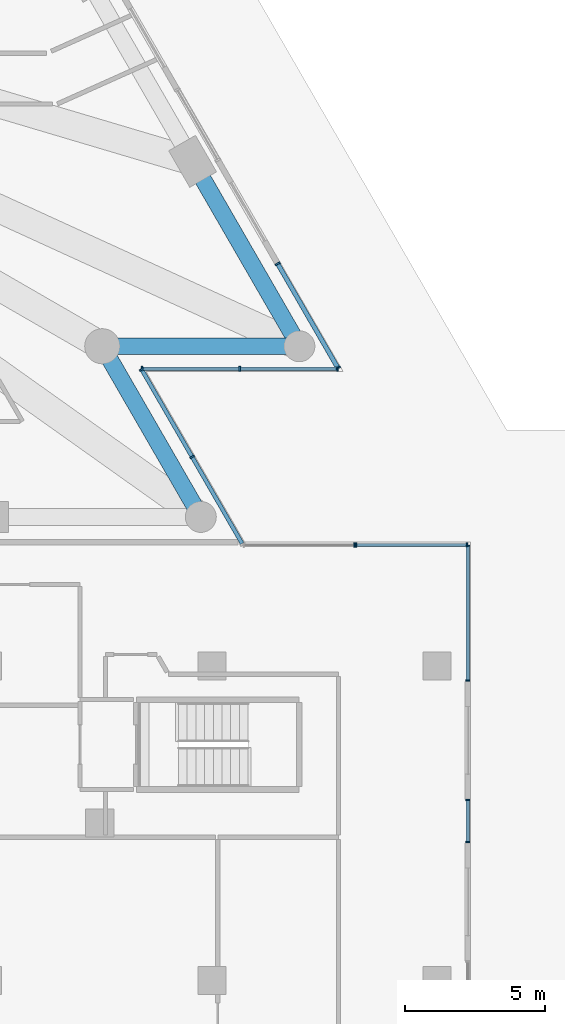
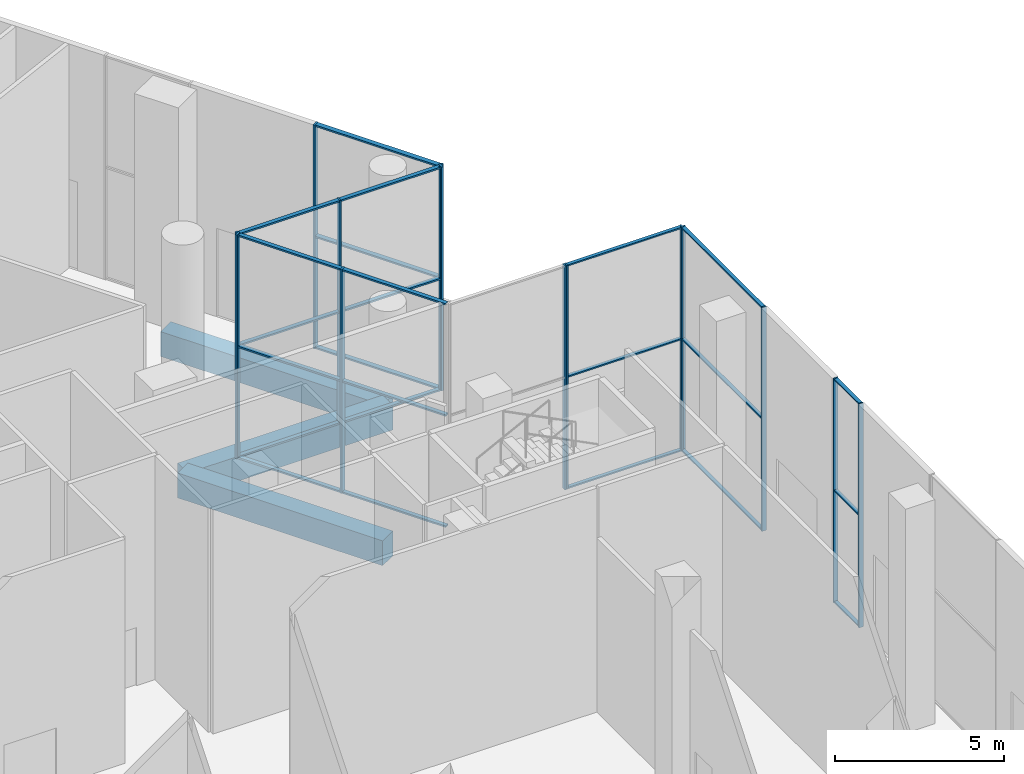
# One storey, part 9 of 41: 38 members, 3 beams, 7 elements without a shape of their own.
"""IFC4 building model written with IfcOpenShell, lengths in metres."""

from ifc_helpers import new_model, si_unit, direction, frame, origin, origin_2d, place, context, subcontext, project, spatial, rectangle, extrude, material, layer, layer_set, material_profile, profile_set, type_object, element, aggregate, save


model = new_model("IFC4")

# Units and contexts
model_context = context("Model", 3, precision=1e-05, world=origin(), true_north=direction((0.0, 1.0)))
body_context = subcontext(model_context, "Body", "Model", "MODEL_VIEW")
ifc_project = project(units=[si_unit("LENGTHUNIT", "METRE"), si_unit("AREAUNIT", "SQUARE_METRE"), si_unit("VOLUMEUNIT", "CUBIC_METRE"), si_unit("PLANEANGLEUNIT", "RADIAN"), si_unit("MASSUNIT", "GRAM", prefix="KILO")], contexts=[model_context])

# Site, building, storey
site_placement = place(None, origin())
site = spatial("IfcSite", under=ifc_project, at=site_placement, CompositionType="ELEMENT")
building_placement = place(site_placement, origin())
building = spatial("IfcBuilding", under=site, at=building_placement, Name="Triada Interchange Tower", CompositionType="ELEMENT")
storey_placement = place(building_placement, origin())
storey = spatial("IfcBuildingStorey", under=building, at=storey_placement, Name="L00", CompositionType="ELEMENT", Elevation=0.0)

# Curtain wall, members
ifc_material_1 = material(Name="Aluminium framed glazing", Category="aluminium")
ifc_layer_1 = layer(ifc_material_1, 0.199951171875)
ifc_layer_set_1 = layer_set([ifc_layer_1], Name="Curtain wall Concourse glazed screen")
curtain_wall_type_1 = type_object("IfcCurtainWallType", Name="Curtain wall Concourse glazed screen", PredefinedType="NOTDEFINED", material=ifc_layer_set_1)
curtain_wall_1_placement = place(storey_placement, origin())
curtain_wall_1 = element("IfcCurtainWall", 1, at=curtain_wall_1_placement, inside=storey, type_object=curtain_wall_type_1, Name="Concourse glazed screen CW019 L00", PredefinedType="NOTDEFINED")
ifc_material_2 = material(Name="Aluminium", Category="aluminium")
ifc_material_profile_1 = material_profile(ifc_material_2, rectangle(XDim=0.199951171875, YDim=0.06005859375, at=origin_2d()), Name="Aluminium mullion")
ifc_profile_set_1 = profile_set([ifc_material_profile_1], Name="Aluminium")
member_type_1 = type_object("IfcMemberType", Name="Mullion Concourse glazed screen 200x60", PredefinedType="MULLION", material=ifc_profile_set_1)
member_1_placement = place(storey_placement, frame((35.27587890625, -16.299072265625, 0.0), z_axis=(0.0, 0.0, 1.0), x_axis=(-0.866039990529, -0.499974734167, 0.0)))
member_1 = element("IfcMember", 2, at=member_1_placement, type_object=member_type_1, Name="CW019 mullion 1", PredefinedType="MULLION", context=body_context, shape_type="SweptSolid", body=[
    extrude(rectangle(XDim=0.199951171875, YDim=0.06005859375, at=origin_2d()), origin(), (0.0, 0.0, 1.0), 8.10009765625),
])
member_2_placement = place(storey_placement, frame((33.133056640625, -12.5869140625, 0.0), z_axis=(0.0, 0.0, 1.0), x_axis=(-0.866039990529, -0.499974734167, 0.0)))
member_2 = element("IfcMember", 3, at=member_2_placement, type_object=member_type_1, Name="CW019 mullion 2", PredefinedType="MULLION", context=body_context, shape_type="SweptSolid", body=[
    extrude(rectangle(XDim=0.199951171875, YDim=0.06005859375, at=origin_2d()), origin(), (0.0, 0.0, 1.0), 8.10009765625),
])

ifc_layer_2 = layer(ifc_material_1, 0.199951171875)
ifc_layer_set_2 = layer_set([ifc_layer_2], Name="Curtain wall Retail shopfront")
curtain_wall_type_2 = type_object("IfcCurtainWallType", Name="Curtain wall Retail shopfront", PredefinedType="NOTDEFINED", material=ifc_layer_set_2)
curtain_wall_2_placement = place(storey_placement, origin())
curtain_wall_2 = element("IfcCurtainWall", 4, at=curtain_wall_2_placement, inside=storey, type_object=curtain_wall_type_2, Name="Retail shopfront CW013 L00", PredefinedType="NOTDEFINED")
ifc_material_profile_2 = material_profile(ifc_material_2, rectangle(XDim=0.14990234375, YDim=0.050048828125, at=origin_2d()), Name="Aluminium mullion")
ifc_profile_set_2 = profile_set([ifc_material_profile_2], Name="Aluminium")
member_type_2 = type_object("IfcMemberType", Name="Mullion Retail shopfront 150x50", PredefinedType="MULLION", material=ifc_profile_set_2)
member_3_placement = place(storey_placement, frame((39.89990234375, -33.175048828125, 0.0), z_axis=(0.0, 0.0, 1.0), x_axis=(-1.0, 0.0, 0.0)))
member_3 = element("IfcMember", 5, at=member_3_placement, type_object=member_type_2, Name="CW013 mullion 1", PredefinedType="MULLION", context=body_context, shape_type="SweptSolid", body=[
    extrude(rectangle(XDim=0.14990234375, YDim=0.050048828125, at=origin_2d()), origin(), (0.0, 0.0, 1.0), 8.10009765625),
])
member_4_placement = place(storey_placement, frame((39.89990234375, -31.675048828125, 0.0), z_axis=(0.0, 0.0, 1.0), x_axis=(-1.0, 0.0, 0.0)))
member_4 = element("IfcMember", 6, at=member_4_placement, type_object=member_type_2, Name="CW013 mullion 2", PredefinedType="MULLION", context=body_context, shape_type="SweptSolid", body=[
    extrude(rectangle(XDim=0.14990234375, YDim=0.050048828125, at=origin_2d()), origin(), (0.0, 0.0, 1.0), 8.10009765625),
])

curtain_wall_3_placement = place(storey_placement, origin())
curtain_wall_3 = element("IfcCurtainWall", 7, at=curtain_wall_3_placement, inside=storey, type_object=curtain_wall_type_2, Name="Retail shopfront CW014 L00", PredefinedType="NOTDEFINED")
member_5_placement = place(storey_placement, frame((39.89990234375, -27.425048828125, 0.0), z_axis=(0.0, 0.0, 1.0), x_axis=(-1.0, 0.0, 0.0)))
member_5 = element("IfcMember", 8, at=member_5_placement, type_object=member_type_2, Name="CW014 mullion 1", PredefinedType="MULLION", context=body_context, shape_type="SweptSolid", body=[
    extrude(rectangle(XDim=0.14990234375, YDim=0.050048828125, at=origin_2d()), origin(), (0.0, 0.0, 1.0), 8.10009765625),
])
member_6_placement = place(storey_placement, frame((39.89990234375, -22.625, 0.0), z_axis=(0.0, 0.0, 1.0), x_axis=(-1.0, 0.0, 0.0)))
member_6 = element("IfcMember", 9, at=member_6_placement, type_object=member_type_2, Name="CW014 mullion 2", PredefinedType="MULLION", context=body_context, shape_type="SweptSolid", body=[
    extrude(rectangle(XDim=0.14990234375, YDim=0.050048828125, at=origin_2d()), origin(), (0.0, 0.0, 1.0), 8.10009765625),
])

curtain_wall_4_placement = place(storey_placement, origin())
curtain_wall_4 = element("IfcCurtainWall", 10, at=curtain_wall_4_placement, inside=storey, type_object=curtain_wall_type_2, Name="Retail shopfront CW015 L00", PredefinedType="NOTDEFINED")
member_7_placement = place(storey_placement, frame((39.875, -22.60009765625, 0.0), z_axis=(0.0, 0.0, 1.0), x_axis=(0.0, -1.0, 0.0)))
member_7 = element("IfcMember", 11, at=member_7_placement, type_object=member_type_2, Name="CW015 mullion 1", PredefinedType="MULLION", context=body_context, shape_type="SweptSolid", body=[
    extrude(rectangle(XDim=0.14990234375, YDim=0.050048828125, at=origin_2d()), origin(), (0.0, 0.0, 1.0), 8.10009765625),
])
member_8_placement = place(storey_placement, frame((35.928955078125, -22.60009765625, 0.0), z_axis=(0.0, 0.0, 1.0), x_axis=(0.0, -1.0, 0.0)))
member_8 = element("IfcMember", 12, at=member_8_placement, type_object=member_type_2, Name="CW015 mullion 2", PredefinedType="MULLION", context=body_context, shape_type="SweptSolid", body=[
    extrude(rectangle(XDim=0.14990234375, YDim=0.050048828125, at=origin_2d()), origin(), (0.0, 0.0, 1.0), 8.10009765625),
])

# Curtain wall, member
curtain_wall_5_placement = place(storey_placement, origin())
curtain_wall_5 = element("IfcCurtainWall", 13, at=curtain_wall_5_placement, inside=storey, type_object=curtain_wall_type_2, Name="Retail shopfront CW016 L00", PredefinedType="NOTDEFINED")
member_9_placement = place(storey_placement, frame((35.868896484375, -22.60009765625, 0.0), z_axis=(0.0, 0.0, 1.0), x_axis=(0.0, -1.0, 0.0)))
member_9 = element("IfcMember", 14, at=member_9_placement, type_object=member_type_2, Name="CW016 mullion 1", PredefinedType="MULLION", context=body_context, shape_type="SweptSolid", body=[
    extrude(rectangle(XDim=0.14990234375, YDim=0.050048828125, at=origin_2d()), origin(), (0.0, 0.0, 1.0), 8.10009765625),
])
aggregate(curtain_wall_5, [member_9])

# Curtain wall, members
ifc_layer_3 = layer(ifc_material_1, 0.199951171875)
ifc_layer_set_3 = layer_set([ifc_layer_3], Name="Curtain wall Tower lobby glazing")
curtain_wall_type_3 = type_object("IfcCurtainWallType", Name="Curtain wall Tower lobby glazing", PredefinedType="NOTDEFINED", material=ifc_layer_set_3)
curtain_wall_6_placement = place(storey_placement, origin())
curtain_wall_6 = element("IfcCurtainWall", 15, at=curtain_wall_6_placement, inside=storey, type_object=curtain_wall_type_3, Name="Tower lobby glazing CW017 L00", PredefinedType="NOTDEFINED")
ifc_material_profile_3 = material_profile(ifc_material_2, rectangle(XDim=0.179931640625, YDim=0.06005859375, at=origin_2d()), Name="Aluminium mullion")
ifc_profile_set_3 = profile_set([ifc_material_profile_3], Name="Aluminium")
member_type_3 = type_object("IfcMemberType", Name="Mullion Tower lobby glazing 180x60", PredefinedType="MULLION", material=ifc_profile_set_3)
member_10_placement = place(storey_placement, frame((30.0869140625, -19.46240234375, 0.0), z_axis=(0.0, 0.0, 1.0), x_axis=(-0.866077569894, -0.499909634761, 0.0)))
member_10 = element("IfcMember", 16, at=member_10_placement, type_object=member_type_3, Name="CW017 mullion 2", PredefinedType="MULLION", context=body_context, shape_type="SweptSolid", body=[
    extrude(rectangle(XDim=0.179931640625, YDim=0.06005859375, at=origin_2d()), origin(), (0.0, 0.0, 1.0), 8.10009765625),
])
member_11_placement = place(storey_placement, frame((28.291015625, -16.35107421875, 0.0), z_axis=(0.0, 0.0, 1.0), x_axis=(-0.866077569894, -0.499909634761, 0.0)))
member_11 = element("IfcMember", 17, at=member_11_placement, type_object=member_type_3, Name="CW017 mullion 3", PredefinedType="MULLION", context=body_context, shape_type="SweptSolid", body=[
    extrude(rectangle(XDim=0.179931640625, YDim=0.06005859375, at=origin_2d()), origin(), (0.0, 0.0, 1.0), 8.10009765625),
])

curtain_wall_7_placement = place(storey_placement, origin())
curtain_wall_7 = element("IfcCurtainWall", 18, at=curtain_wall_7_placement, inside=storey, type_object=curtain_wall_type_3, Name="Tower lobby glazing CW018 L00", PredefinedType="NOTDEFINED")
member_12_placement = place(storey_placement, frame((28.305908203125, -16.324951171875, 0.0), z_axis=(0.0, 0.0, 1.0), x_axis=(0.0, 1.0, 0.0)))
member_12 = element("IfcMember", 19, at=member_12_placement, type_object=member_type_3, Name="CW018 mullion 1", PredefinedType="MULLION", context=body_context, shape_type="SweptSolid", body=[
    extrude(rectangle(XDim=0.179931640625, YDim=0.06005859375, at=origin_2d()), origin(), (0.0, 0.0, 1.0), 8.10009765625),
])
member_13_placement = place(storey_placement, frame((31.783447265625, -16.324951171875, 0.0), z_axis=(0.0, 0.0, 1.0), x_axis=(0.0, 1.0, 0.0)))
member_13 = element("IfcMember", 20, at=member_13_placement, type_object=member_type_3, Name="CW018 mullion 2", PredefinedType="MULLION", context=body_context, shape_type="SweptSolid", body=[
    extrude(rectangle(XDim=0.179931640625, YDim=0.06005859375, at=origin_2d()), origin(), (0.0, 0.0, 1.0), 8.10009765625),
])
member_14_placement = place(storey_placement, frame((35.260986328125, -16.324951171875, 0.0), z_axis=(0.0, 0.0, 1.0), x_axis=(0.0, 1.0, 0.0)))
member_14 = element("IfcMember", 21, at=member_14_placement, type_object=member_type_3, Name="CW018 mullion 3", PredefinedType="MULLION", context=body_context, shape_type="SweptSolid", body=[
    extrude(rectangle(XDim=0.179931640625, YDim=0.06005859375, at=origin_2d()), origin(), (0.0, 0.0, 1.0), 8.10009765625),
])

# Beams
ifc_material_3 = material(Name="Concrete C50/60", Category="concrete")
ifc_material_profile_4 = material_profile(ifc_material_3, rectangle(XDim=0.60009765625, YDim=0.89990234375, at=origin_2d()), Name="RC 600x900")
ifc_profile_set_4 = profile_set([ifc_material_profile_4], Name="Concrete C50/60")
beam_type = type_object("IfcBeamType", Name="Spandrel beam P RC 600x900", PredefinedType="BEAM", material=ifc_profile_set_4)
beam_1_placement = place(storey_placement, frame((30.39697265625, -21.60009765625, -0.85009765625), z_axis=(-0.499953429515, 0.866052289597, 0.0), x_axis=(-0.866052289597, -0.499953429515, 0.0)))
element("IfcBeam", 22, at=beam_1_placement, inside=storey, type_object=beam_type, Name="Spandrel beam EP19 L00", PredefinedType="BEAM", context=body_context, shape_type="SweptSolid", body=[
    extrude(rectangle(XDim=0.60009765625, YDim=0.89990234375, at=origin_2d()), origin(), (0.0, 0.0, 1.0), 7.014892578125),
])
beam_2_placement = place(storey_placement, frame((26.889892578125, -15.52490234375, -0.85009765625), z_axis=(1.0, 0.0, 0.0), x_axis=(0.0, 1.0, 0.0)))
element("IfcBeam", 23, at=beam_2_placement, inside=storey, type_object=beam_type, Name="Spandrel beam EP20 L00", PredefinedType="BEAM", context=body_context, shape_type="SweptSolid", body=[
    extrude(rectangle(XDim=0.60009765625, YDim=0.89990234375, at=origin_2d()), origin(), (0.0, 0.0, 1.0), 7.01513671875),
])
beam_3_placement = place(storey_placement, frame((33.905029296875, -15.52490234375, -0.85009765625), z_axis=(-0.500060803479, 0.865990296034, 0.0), x_axis=(-0.865990296034, -0.500060803479, 0.0)))
element("IfcBeam", 24, at=beam_3_placement, inside=storey, type_object=beam_type, Name="Spandrel beam EP21 L00", PredefinedType="BEAM", context=body_context, shape_type="SweptSolid", body=[
    extrude(rectangle(XDim=0.60009765625, YDim=0.89990234375, at=origin_2d()), origin(), (0.0, 0.0, 1.0), 7.59912109375),
])

# Member
ifc_material_profile_5 = material_profile(ifc_material_2, rectangle(XDim=0.159912109375, YDim=0.06005859375, at=origin_2d()), Name="Aluminium transom")
ifc_profile_set_5 = profile_set([ifc_material_profile_5], Name="Aluminium")
member_type_4 = type_object("IfcMemberType", Name="Transom Concourse glazed screen 160x60", PredefinedType="USERDEFINED", material=ifc_profile_set_5)
member_15_placement = place(storey_placement, frame((35.260986328125, -16.27294921875, 0.030029296875), z_axis=(-0.499997491977, 0.866026851788, 0.0), x_axis=(-0.866026851788, -0.499997491977, 0.0)))
member_15 = element("IfcMember", 25, at=member_15_placement, type_object=member_type_4, Name="CW019 transom 1.1", ObjectType="TRANSOM", PredefinedType="USERDEFINED", context=body_context, shape_type="SweptSolid", body=[
    extrude(rectangle(XDim=0.159912109375, YDim=0.06005859375, at=origin_2d()), origin(), (0.0, 0.0, 1.0), 4.22607421875),
])

member_16_placement = place(storey_placement, frame((35.260986328125, -16.27294921875, 4.050048828125), z_axis=(-0.499997491977, 0.866026851788, 0.0), x_axis=(-0.866026851788, -0.499997491977, 0.0)))
member_16 = element("IfcMember", 26, at=member_16_placement, type_object=member_type_4, Name="CW019 transom 1.2", ObjectType="TRANSOM", PredefinedType="USERDEFINED", context=body_context, shape_type="SweptSolid", body=[
    extrude(rectangle(XDim=0.159912109375, YDim=0.06005859375, at=origin_2d()), origin(), (0.0, 0.0, 1.0), 4.22607421875),
])

member_17_placement = place(storey_placement, frame((35.260986328125, -16.27294921875, 8.070068359375), z_axis=(-0.499997491977, 0.866026851788, 0.0), x_axis=(-0.866026851788, -0.499997491977, 0.0)))
member_17 = element("IfcMember", 27, at=member_17_placement, type_object=member_type_4, Name="CW019 transom 1.3", ObjectType="TRANSOM", PredefinedType="USERDEFINED", context=body_context, shape_type="SweptSolid", body=[
    extrude(rectangle(XDim=0.159912109375, YDim=0.06005859375, at=origin_2d()), origin(), (0.0, 0.0, 1.0), 4.22607421875),
])

aggregate(curtain_wall_1, [member_1, member_2, member_15, member_16, member_17])

ifc_material_profile_6 = material_profile(ifc_material_2, rectangle(XDim=0.1201171875, YDim=0.050048828125, at=origin_2d()), Name="Aluminium transom")
ifc_profile_set_6 = profile_set([ifc_material_profile_6], Name="Aluminium")
member_type_5 = type_object("IfcMemberType", Name="Transom Retail shopfront 120x50", PredefinedType="USERDEFINED", material=ifc_profile_set_6)
member_18_placement = place(storey_placement, frame((39.89990234375, -33.14990234375, 0.02490234375), z_axis=(0.0, 1.0, 0.0), x_axis=(-1.0, 0.0, 0.0)))
member_18 = element("IfcMember", 28, at=member_18_placement, type_object=member_type_5, Name="CW013 transom 1.1", ObjectType="TRANSOM", PredefinedType="USERDEFINED", context=body_context, shape_type="SweptSolid", body=[
    extrude(rectangle(XDim=0.1201171875, YDim=0.050048828125, at=origin_2d()), origin(), (0.0, 0.0, 1.0), 1.449951171875),
])

member_19_placement = place(storey_placement, frame((39.89990234375, -33.14990234375, 4.050048828125), z_axis=(0.0, 1.0, 0.0), x_axis=(-1.0, 0.0, 0.0)))
member_19 = element("IfcMember", 29, at=member_19_placement, type_object=member_type_5, Name="CW013 transom 1.2", ObjectType="TRANSOM", PredefinedType="USERDEFINED", context=body_context, shape_type="SweptSolid", body=[
    extrude(rectangle(XDim=0.1201171875, YDim=0.050048828125, at=origin_2d()), origin(), (0.0, 0.0, 1.0), 1.449951171875),
])

member_20_placement = place(storey_placement, frame((39.89990234375, -33.14990234375, 8.074951171875), z_axis=(0.0, 1.0, 0.0), x_axis=(-1.0, 0.0, 0.0)))
member_20 = element("IfcMember", 30, at=member_20_placement, type_object=member_type_5, Name="CW013 transom 1.3", ObjectType="TRANSOM", PredefinedType="USERDEFINED", context=body_context, shape_type="SweptSolid", body=[
    extrude(rectangle(XDim=0.1201171875, YDim=0.050048828125, at=origin_2d()), origin(), (0.0, 0.0, 1.0), 1.449951171875),
])

aggregate(curtain_wall_2, [member_3, member_4, member_18, member_19, member_20])

member_21_placement = place(storey_placement, frame((39.89990234375, -27.39990234375, 0.02490234375), z_axis=(0.0, 1.0, 0.0), x_axis=(-1.0, 0.0, 0.0)))
member_21 = element("IfcMember", 31, at=member_21_placement, type_object=member_type_5, Name="CW014 transom 1.1", ObjectType="TRANSOM", PredefinedType="USERDEFINED", context=body_context, shape_type="SweptSolid", body=[
    extrude(rectangle(XDim=0.1201171875, YDim=0.050048828125, at=origin_2d()), origin(), (0.0, 0.0, 1.0), 4.75),
])

member_22_placement = place(storey_placement, frame((39.89990234375, -27.39990234375, 4.050048828125), z_axis=(0.0, 1.0, 0.0), x_axis=(-1.0, 0.0, 0.0)))
member_22 = element("IfcMember", 32, at=member_22_placement, type_object=member_type_5, Name="CW014 transom 1.2", ObjectType="TRANSOM", PredefinedType="USERDEFINED", context=body_context, shape_type="SweptSolid", body=[
    extrude(rectangle(XDim=0.1201171875, YDim=0.050048828125, at=origin_2d()), origin(), (0.0, 0.0, 1.0), 4.75),
])

member_23_placement = place(storey_placement, frame((39.89990234375, -27.39990234375, 8.074951171875), z_axis=(0.0, 1.0, 0.0), x_axis=(-1.0, 0.0, 0.0)))
member_23 = element("IfcMember", 33, at=member_23_placement, type_object=member_type_5, Name="CW014 transom 1.3", ObjectType="TRANSOM", PredefinedType="USERDEFINED", context=body_context, shape_type="SweptSolid", body=[
    extrude(rectangle(XDim=0.1201171875, YDim=0.050048828125, at=origin_2d()), origin(), (0.0, 0.0, 1.0), 4.75),
])

aggregate(curtain_wall_3, [member_5, member_6, member_21, member_22, member_23])

member_24_placement = place(storey_placement, frame((39.85009765625, -22.60009765625, 0.02490234375), z_axis=(-1.0, 0.0, 0.0), x_axis=(0.0, -1.0, 0.0)))
member_24 = element("IfcMember", 34, at=member_24_placement, type_object=member_type_5, Name="CW015 transom 1.1", ObjectType="TRANSOM", PredefinedType="USERDEFINED", context=body_context, shape_type="SweptSolid", body=[
    extrude(rectangle(XDim=0.1201171875, YDim=0.050048828125, at=origin_2d()), origin(), (0.0, 0.0, 1.0), 3.89599609375),
])

member_25_placement = place(storey_placement, frame((39.85009765625, -22.60009765625, 4.050048828125), z_axis=(-1.0, 0.0, 0.0), x_axis=(0.0, -1.0, 0.0)))
member_25 = element("IfcMember", 35, at=member_25_placement, type_object=member_type_5, Name="CW015 transom 1.2", ObjectType="TRANSOM", PredefinedType="USERDEFINED", context=body_context, shape_type="SweptSolid", body=[
    extrude(rectangle(XDim=0.1201171875, YDim=0.050048828125, at=origin_2d()), origin(), (0.0, 0.0, 1.0), 3.89599609375),
])

member_26_placement = place(storey_placement, frame((39.85009765625, -22.60009765625, 8.074951171875), z_axis=(-1.0, 0.0, 0.0), x_axis=(0.0, -1.0, 0.0)))
member_26 = element("IfcMember", 36, at=member_26_placement, type_object=member_type_5, Name="CW015 transom 1.3", ObjectType="TRANSOM", PredefinedType="USERDEFINED", context=body_context, shape_type="SweptSolid", body=[
    extrude(rectangle(XDim=0.1201171875, YDim=0.050048828125, at=origin_2d()), origin(), (0.0, 0.0, 1.0), 3.89599609375),
])

aggregate(curtain_wall_4, [member_7, member_8, member_24, member_25, member_26])

ifc_material_profile_7 = material_profile(ifc_material_2, rectangle(XDim=0.139892578125, YDim=0.06005859375, at=origin_2d()), Name="Aluminium transom")
ifc_profile_set_7 = profile_set([ifc_material_profile_7], Name="Aluminium")
member_type_6 = type_object("IfcMemberType", Name="Transom Tower lobby glazing 140x60", PredefinedType="USERDEFINED", material=ifc_profile_set_7)
member_27_placement = place(storey_placement, frame((31.867919921875, -22.548095703125, 0.030029296875), z_axis=(-0.499878002131, 0.866095827831, 0.0), x_axis=(-0.866095827831, -0.499878002131, 0.0)))
member_27 = element("IfcMember", 37, at=member_27_placement, type_object=member_type_6, Name="CW017 transom 1.1", ObjectType="TRANSOM", PredefinedType="USERDEFINED", context=body_context, shape_type="SweptSolid", body=[
    extrude(rectangle(XDim=0.139892578125, YDim=0.06005859375, at=origin_2d()), origin(), (0.0, 0.0, 1.0), 3.53271484375),
])

member_28_placement = place(storey_placement, frame((31.867919921875, -22.548095703125, 4.050048828125), z_axis=(-0.499878002131, 0.866095827831, 0.0), x_axis=(-0.866095827831, -0.499878002131, 0.0)))
member_28 = element("IfcMember", 38, at=member_28_placement, type_object=member_type_6, Name="CW017 transom 1.2", ObjectType="TRANSOM", PredefinedType="USERDEFINED", context=body_context, shape_type="SweptSolid", body=[
    extrude(rectangle(XDim=0.139892578125, YDim=0.06005859375, at=origin_2d()), origin(), (0.0, 0.0, 1.0), 3.53271484375),
])

member_29_placement = place(storey_placement, frame((31.867919921875, -22.548095703125, 8.070068359375), z_axis=(-0.499878002131, 0.866095827831, 0.0), x_axis=(-0.866095827831, -0.499878002131, 0.0)))
member_29 = element("IfcMember", 39, at=member_29_placement, type_object=member_type_6, Name="CW017 transom 1.3", ObjectType="TRANSOM", PredefinedType="USERDEFINED", context=body_context, shape_type="SweptSolid", body=[
    extrude(rectangle(XDim=0.139892578125, YDim=0.06005859375, at=origin_2d()), origin(), (0.0, 0.0, 1.0), 3.53271484375),
])

member_30_placement = place(storey_placement, frame((30.072021484375, -19.4365234375, 0.030029296875), z_axis=(-0.499929840932, 0.866065906352, 0.0), x_axis=(-0.866065906352, -0.499929840932, 0.0)))
member_30 = element("IfcMember", 40, at=member_30_placement, type_object=member_type_6, Name="CW017 transom 2.1", ObjectType="TRANSOM", PredefinedType="USERDEFINED", context=body_context, shape_type="SweptSolid", body=[
    extrude(rectangle(XDim=0.139892578125, YDim=0.06005859375, at=origin_2d()), origin(), (0.0, 0.0, 1.0), 3.53271484375),
])

member_31_placement = place(storey_placement, frame((30.072021484375, -19.4365234375, 4.050048828125), z_axis=(-0.499929840932, 0.866065906352, 0.0), x_axis=(-0.866065906352, -0.499929840932, 0.0)))
member_31 = element("IfcMember", 41, at=member_31_placement, type_object=member_type_6, Name="CW017 transom 2.2", ObjectType="TRANSOM", PredefinedType="USERDEFINED", context=body_context, shape_type="SweptSolid", body=[
    extrude(rectangle(XDim=0.139892578125, YDim=0.06005859375, at=origin_2d()), origin(), (0.0, 0.0, 1.0), 3.53271484375),
])

member_32_placement = place(storey_placement, frame((30.072021484375, -19.4365234375, 8.070068359375), z_axis=(-0.499929840932, 0.866065906352, 0.0), x_axis=(-0.866065906352, -0.499929840932, 0.0)))
member_32 = element("IfcMember", 42, at=member_32_placement, type_object=member_type_6, Name="CW017 transom 2.3", ObjectType="TRANSOM", PredefinedType="USERDEFINED", context=body_context, shape_type="SweptSolid", body=[
    extrude(rectangle(XDim=0.139892578125, YDim=0.06005859375, at=origin_2d()), origin(), (0.0, 0.0, 1.0), 3.53271484375),
])

aggregate(curtain_wall_6, [member_10, member_11, member_27, member_28, member_29, member_30, member_31, member_32])

member_33_placement = place(storey_placement, frame((28.3359375, -16.324951171875, 0.030029296875), z_axis=(1.0, 0.0, 0.0), x_axis=(0.0, 1.0, 0.0)))
member_33 = element("IfcMember", 43, at=member_33_placement, type_object=member_type_6, Name="CW018 transom 1.1", ObjectType="TRANSOM", PredefinedType="USERDEFINED", context=body_context, shape_type="SweptSolid", body=[
    extrude(rectangle(XDim=0.139892578125, YDim=0.06005859375, at=origin_2d()), origin(), (0.0, 0.0, 1.0), 3.41748046875),
])

member_34_placement = place(storey_placement, frame((28.3359375, -16.324951171875, 4.050048828125), z_axis=(1.0, 0.0, 0.0), x_axis=(0.0, 1.0, 0.0)))
member_34 = element("IfcMember", 44, at=member_34_placement, type_object=member_type_6, Name="CW018 transom 1.2", ObjectType="TRANSOM", PredefinedType="USERDEFINED", context=body_context, shape_type="SweptSolid", body=[
    extrude(rectangle(XDim=0.139892578125, YDim=0.06005859375, at=origin_2d()), origin(), (0.0, 0.0, 1.0), 3.41748046875),
])

member_35_placement = place(storey_placement, frame((28.3359375, -16.324951171875, 8.070068359375), z_axis=(1.0, 0.0, 0.0), x_axis=(0.0, 1.0, 0.0)))
member_35 = element("IfcMember", 45, at=member_35_placement, type_object=member_type_6, Name="CW018 transom 1.3", ObjectType="TRANSOM", PredefinedType="USERDEFINED", context=body_context, shape_type="SweptSolid", body=[
    extrude(rectangle(XDim=0.139892578125, YDim=0.06005859375, at=origin_2d()), origin(), (0.0, 0.0, 1.0), 3.41748046875),
])

member_36_placement = place(storey_placement, frame((31.8134765625, -16.324951171875, 0.030029296875), z_axis=(1.0, 0.0, 0.0), x_axis=(0.0, 1.0, 0.0)))
member_36 = element("IfcMember", 46, at=member_36_placement, type_object=member_type_6, Name="CW018 transom 2.1", ObjectType="TRANSOM", PredefinedType="USERDEFINED", context=body_context, shape_type="SweptSolid", body=[
    extrude(rectangle(XDim=0.139892578125, YDim=0.06005859375, at=origin_2d()), origin(), (0.0, 0.0, 1.0), 3.41748046875),
])

member_37_placement = place(storey_placement, frame((31.8134765625, -16.324951171875, 4.050048828125), z_axis=(1.0, 0.0, 0.0), x_axis=(0.0, 1.0, 0.0)))
member_37 = element("IfcMember", 47, at=member_37_placement, type_object=member_type_6, Name="CW018 transom 2.2", ObjectType="TRANSOM", PredefinedType="USERDEFINED", context=body_context, shape_type="SweptSolid", body=[
    extrude(rectangle(XDim=0.139892578125, YDim=0.06005859375, at=origin_2d()), origin(), (0.0, 0.0, 1.0), 3.41748046875),
])

member_38_placement = place(storey_placement, frame((31.8134765625, -16.324951171875, 8.070068359375), z_axis=(1.0, 0.0, 0.0), x_axis=(0.0, 1.0, 0.0)))
member_38 = element("IfcMember", 48, at=member_38_placement, type_object=member_type_6, Name="CW018 transom 2.3", ObjectType="TRANSOM", PredefinedType="USERDEFINED", context=body_context, shape_type="SweptSolid", body=[
    extrude(rectangle(XDim=0.139892578125, YDim=0.06005859375, at=origin_2d()), origin(), (0.0, 0.0, 1.0), 3.41748046875),
])

aggregate(curtain_wall_7, [member_12, member_13, member_14, member_33, member_34, member_35, member_36, member_37, member_38])

save(model, "model.ifc")
